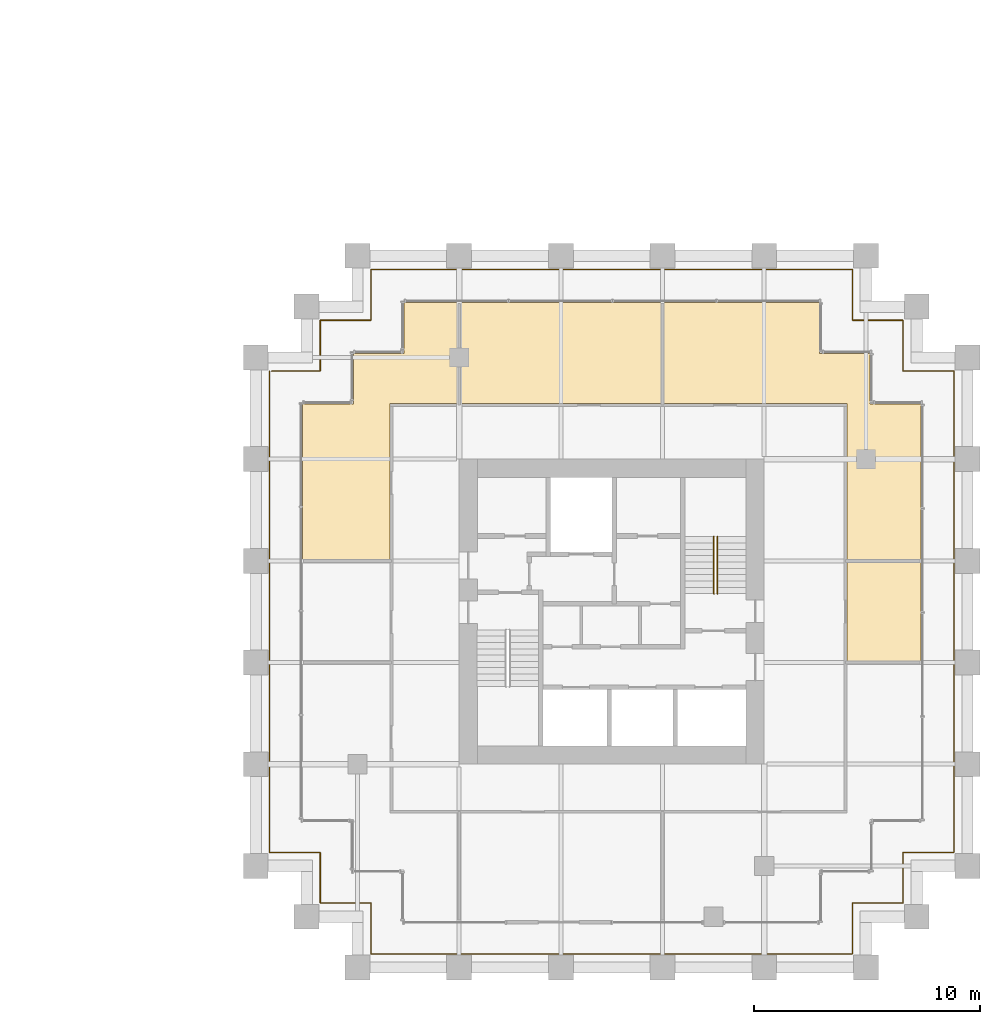
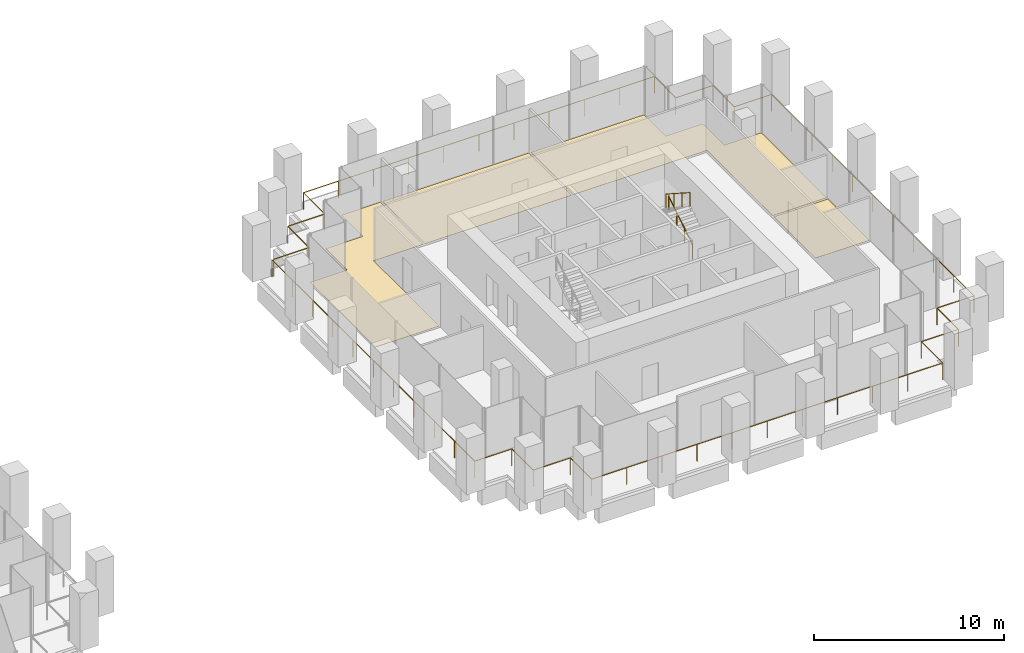
# One storey, part 56 of 56: 4 coverings, 3 railings.
"""IFC4 building model written with IfcOpenShell, lengths in metres."""

from ifc_helpers import new_model, si_unit, direction, frame, origin, origin_2d, place, context, subcontext, project, spatial, polyline, circle, outline, extrude, source, transform, mapped, material, layer, layer_set, type_object, element, save


model = new_model("IFC4")

# Units and contexts
model_context = context("Model", 3, precision=1e-05, world=origin(), true_north=direction((0.0, 1.0)))
body_context = subcontext(model_context, "Body", "Model", "MODEL_VIEW")
ifc_project = project(units=[si_unit("LENGTHUNIT", "METRE"), si_unit("AREAUNIT", "SQUARE_METRE"), si_unit("VOLUMEUNIT", "CUBIC_METRE"), si_unit("PLANEANGLEUNIT", "RADIAN"), si_unit("MASSUNIT", "GRAM", prefix="KILO")], contexts=[model_context])

# Site, building, storey
site_placement = place(None, origin())
site = spatial("IfcSite", under=ifc_project, at=site_placement, CompositionType="ELEMENT")
building_placement = place(site_placement, origin())
building = spatial("IfcBuilding", under=site, at=building_placement, Name="Altepetl Exchange Towers", CompositionType="ELEMENT")
storey_placement = place(building_placement, frame((0.0, 0.0, 72.60009765625)))
storey = spatial("IfcBuildingStorey", under=building, at=storey_placement, Name="L17", CompositionType="ELEMENT", Elevation=72.60009765625)

# Coverings
ifc_material_1 = material(Name="Carpet tile")
ifc_layer = layer(ifc_material_1, 0.02001953125)
ifc_layer_set = layer_set([ifc_layer], Name="Carpet tile")
covering_type = type_object("IfcCoveringType", Name="Carpet tile floor", PredefinedType="FLOORING", material=ifc_layer_set)
covering_1_placement = place(storey_placement, origin())
element("IfcCovering", 1, at=covering_1_placement, inside=storey, type_object=covering_type, Name="Print room floor finish B17.04", PredefinedType="FLOORING", context=body_context, shape_type="SweptSolid", body=[
    extrude(outline(polyline([(123.9375, 44.9375), (120.66259765625, 44.9375), (120.66259765625, 40.5625), (123.9375, 40.5625), (123.9375, 44.9375)])), origin(), (0.0, 0.0, 1.0), 0.02001953125),
])
covering_2_placement = place(storey_placement, origin())
element("IfcCovering", 2, at=covering_2_placement, inside=storey, type_object=covering_type, Name="Open office floor finish B17.05", PredefinedType="FLOORING", context=body_context, shape_type="SweptSolid", body=[
    extrude(outline(polyline([(112.5625, 56.4375), (112.5625, 51.96240234375), (120.66259765625, 51.96240234375), (120.66259765625, 45.0625), (123.9375, 45.0625), (123.9375, 51.9375), (121.6875, 51.9375), (121.6875, 54.1875), (119.4375, 54.1875), (119.4375, 56.4375), (112.5625, 56.4375)])), origin(), (0.0, 0.0, 1.0), 0.02001953125),
])
covering_3_placement = place(storey_placement, origin())
element("IfcCovering", 3, at=covering_3_placement, inside=storey, type_object=covering_type, Name="Print room floor finish B17.06", PredefinedType="FLOORING", context=body_context, shape_type="SweptSolid", body=[
    extrude(outline(polyline([(103.5625, 56.4375), (103.5625, 51.96240234375), (112.4375, 51.96240234375), (112.4375, 56.4375), (103.5625, 56.4375)])), origin(), (0.0, 0.0, 1.0), 0.02001953125),
])
covering_4_placement = place(storey_placement, origin())
element("IfcCovering", 4, at=covering_4_placement, inside=storey, type_object=covering_type, Name="Huddle room floor finish B17.07", PredefinedType="FLOORING", context=body_context, shape_type="SweptSolid", body=[
    extrude(outline(polyline([(101.0625, 54.1875), (98.8125, 54.1875), (98.8125, 51.9375), (96.5625, 51.9375), (96.5625, 45.0625), (100.4375, 45.0625), (100.4375, 51.96240234375), (103.4375, 51.96240234375), (103.4375, 56.4375), (101.0625, 56.4375), (101.0625, 54.1875)])), origin(), (0.0, 0.0, 1.0), 0.02001953125),
])

# Railings
ifc_material_2 = material(Name="Steel S355", Category="steel")
railing_type_1 = type_object("IfcRailingType", Name="Guard 1100 steel posts and rail", PredefinedType="GUARDRAIL", material=ifc_material_2)
shared_shape_1 = source(origin(), body_context, "Body", "SweptSolid", [
    extrude(circle(Radius=0.02099609375, at=origin_2d()), origin(), (0.0, 0.0, 1.0), 1.052001953125),
])
railing_1_placement = place(storey_placement, frame((95.10009765625, 53.39990234375, 0.0)))
element("IfcRailing", 5, at=railing_1_placement, inside=storey, type_object=railing_type_1, Name="Loggia guard", PredefinedType="GUARDRAIL", context=body_context, shape_type="SweptSolid", body=[
    extrude(circle(Radius=0.02392578125, at=origin_2d()), frame((0.0, 0.0, 1.076171875), z_axis=(0.0, -1.0, 0.0), x_axis=(1.0, 0.0, 0.0)), (0.0, 0.0, 1.0), 21.2998046875),
    extrude(circle(Radius=0.02392578125, at=origin_2d()), frame((0.0, -21.2998046875, 1.076171875), z_axis=(1.0, 0.0, 0.0), x_axis=(0.0, 1.0, 0.0)), (0.0, 0.0, 1.0), 2.25),
    extrude(circle(Radius=0.02392578125, at=origin_2d()), frame((2.25, -21.2998046875, 1.076171875), z_axis=(0.0, -1.0, 0.0), x_axis=(1.0, 0.0, 0.0)), (0.0, 0.0, 1.0), 2.25),
    extrude(circle(Radius=0.02392578125, at=origin_2d()), frame((2.25, -23.5498046875, 1.076171875), z_axis=(1.0, 0.0, 0.0), x_axis=(0.0, 1.0, 0.0)), (0.0, 0.0, 1.0), 2.25),
    extrude(circle(Radius=0.02392578125, at=origin_2d()), frame((4.5, -23.5498046875, 1.076171875), z_axis=(0.0, -1.0, 0.0), x_axis=(1.0, 0.0, 0.0)), (0.0, 0.0, 1.0), 2.25),
    extrude(circle(Radius=0.02392578125, at=origin_2d()), frame((4.5, -25.7998046875, 1.076171875), z_axis=(1.0, 0.0, 0.0), x_axis=(0.0, 1.0, 0.0)), (0.0, 0.0, 1.0), 21.2998046875),
    extrude(circle(Radius=0.02392578125, at=origin_2d()), frame((25.7998046875, -25.7998046875, 1.076171875), z_axis=(0.0, 1.0, 0.0), x_axis=(-1.0, 0.0, 0.0)), (0.0, 0.0, 1.0), 2.25),
    extrude(circle(Radius=0.02392578125, at=origin_2d()), frame((25.7998046875, -23.5498046875, 1.076171875), z_axis=(1.0, 0.0, 0.0), x_axis=(0.0, 1.0, 0.0)), (0.0, 0.0, 1.0), 2.25),
    extrude(circle(Radius=0.02392578125, at=origin_2d()), frame((28.0498046875, -23.5498046875, 1.076171875), z_axis=(0.0, 1.0, 0.0), x_axis=(-1.0, 0.0, 0.0)), (0.0, 0.0, 1.0), 2.25),
    extrude(circle(Radius=0.02392578125, at=origin_2d()), frame((28.0498046875, -21.2998046875, 1.076171875), z_axis=(1.0, 0.0, 0.0), x_axis=(0.0, 1.0, 0.0)), (0.0, 0.0, 1.0), 2.25),
    extrude(circle(Radius=0.02392578125, at=origin_2d()), frame((30.2998046875, -21.2998046875, 1.076171875), z_axis=(0.0, 1.0, 0.0), x_axis=(-1.0, 0.0, 0.0)), (0.0, 0.0, 1.0), 21.2998046875),
    extrude(circle(Radius=0.02392578125, at=origin_2d()), frame((30.2998046875, 0.0, 1.076171875), z_axis=(-1.0, 0.0, 0.0), x_axis=(0.0, -1.0, 0.0)), (0.0, 0.0, 1.0), 2.25),
    extrude(circle(Radius=0.02392578125, at=origin_2d()), frame((28.0498046875, 0.0, 1.076171875), z_axis=(0.0, 1.0, 0.0), x_axis=(-1.0, 0.0, 0.0)), (0.0, 0.0, 1.0), 2.25),
    extrude(circle(Radius=0.02392578125, at=origin_2d()), frame((28.0498046875, 2.25, 1.076171875), z_axis=(-1.0, 0.0, 0.0), x_axis=(0.0, -1.0, 0.0)), (0.0, 0.0, 1.0), 2.25),
    extrude(circle(Radius=0.02392578125, at=origin_2d()), frame((25.7998046875, 2.25, 1.076171875), z_axis=(0.0, 1.0, 0.0), x_axis=(-1.0, 0.0, 0.0)), (0.0, 0.0, 1.0), 2.25),
    extrude(circle(Radius=0.02392578125, at=origin_2d()), frame((25.7998046875, 4.5, 1.076171875), z_axis=(-1.0, 0.0, 0.0), x_axis=(0.0, -1.0, 0.0)), (0.0, 0.0, 1.0), 21.2998046875),
    extrude(circle(Radius=0.02392578125, at=origin_2d()), frame((4.5, 4.5, 1.076171875), z_axis=(0.0, -1.0, 0.0), x_axis=(1.0, 0.0, 0.0)), (0.0, 0.0, 1.0), 2.25),
    extrude(circle(Radius=0.02392578125, at=origin_2d()), frame((4.5, 2.25, 1.076171875), z_axis=(-1.0, 0.0, 0.0), x_axis=(0.0, -1.0, 0.0)), (0.0, 0.0, 1.0), 2.25),
    extrude(circle(Radius=0.02392578125, at=origin_2d()), frame((2.25, 2.25, 1.076171875), z_axis=(0.0, -1.0, 0.0), x_axis=(1.0, 0.0, 0.0)), (0.0, 0.0, 1.0), 2.25),
    extrude(circle(Radius=0.02392578125, at=origin_2d()), frame((2.25, 0.0, 1.076171875), z_axis=(-1.0, 0.0, 0.0), x_axis=(0.0, -1.0, 0.0)), (0.0, 0.0, 1.0), 2.150146484375),
    mapped(shared_shape_1, transform((0.0, 0.0, 0.0))),
    mapped(shared_shape_1, transform((0.0, -2.1298828125, 0.0))),
    mapped(shared_shape_1, transform((0.0, -4.260009765625, 0.0))),
    mapped(shared_shape_1, transform((0.0, -6.389892578125, 0.0))),
    mapped(shared_shape_1, transform((0.0, -8.52001953125, 0.0))),
    mapped(shared_shape_1, transform((0.0, -10.64990234375, 0.0))),
    mapped(shared_shape_1, transform((0.0, -12.77978515625, 0.0))),
    mapped(shared_shape_1, transform((0.0, -14.909912109375, 0.0))),
    mapped(shared_shape_1, transform((0.0, -17.039794921875, 0.0))),
    mapped(shared_shape_1, transform((0.0, -19.169921875, 0.0))),
    mapped(shared_shape_1, transform((0.0, -21.2998046875, 0.0))),
    mapped(shared_shape_1, transform((2.25, -21.2998046875, 0.0))),
    mapped(shared_shape_1, transform((2.25, -23.5498046875, 0.0))),
    mapped(shared_shape_1, transform((4.5, -23.5498046875, 0.0))),
    mapped(shared_shape_1, transform((4.5, -25.7998046875, 0.0))),
    mapped(shared_shape_1, transform((6.6298828125, -25.7998046875, 0.0))),
    mapped(shared_shape_1, transform((8.760009765625, -25.7998046875, 0.0))),
    mapped(shared_shape_1, transform((10.889892578125, -25.7998046875, 0.0))),
    mapped(shared_shape_1, transform((13.02001953125, -25.7998046875, 0.0))),
    mapped(shared_shape_1, transform((15.14990234375, -25.7998046875, 0.0))),
    mapped(shared_shape_1, transform((17.27978515625, -25.7998046875, 0.0))),
    mapped(shared_shape_1, transform((19.409912109375, -25.7998046875, 0.0))),
    mapped(shared_shape_1, transform((21.539794921875, -25.7998046875, 0.0))),
    mapped(shared_shape_1, transform((23.669921875, -25.7998046875, 0.0))),
    mapped(shared_shape_1, transform((25.7998046875, -25.7998046875, 0.0))),
    mapped(shared_shape_1, transform((25.7998046875, -23.5498046875, 0.0))),
    mapped(shared_shape_1, transform((28.0498046875, -23.5498046875, 0.0))),
    mapped(shared_shape_1, transform((28.0498046875, -21.2998046875, 0.0))),
    mapped(shared_shape_1, transform((30.2998046875, -21.2998046875, 0.0))),
    mapped(shared_shape_1, transform((30.2998046875, -19.169921875, 0.0))),
    mapped(shared_shape_1, transform((30.2998046875, -17.039794921875, 0.0))),
    mapped(shared_shape_1, transform((30.2998046875, -14.909912109375, 0.0))),
    mapped(shared_shape_1, transform((30.2998046875, -12.77978515625, 0.0))),
    mapped(shared_shape_1, transform((30.2998046875, -10.64990234375, 0.0))),
    mapped(shared_shape_1, transform((30.2998046875, -8.52001953125, 0.0))),
    mapped(shared_shape_1, transform((30.2998046875, -6.389892578125, 0.0))),
    mapped(shared_shape_1, transform((30.2998046875, -4.260009765625, 0.0))),
    mapped(shared_shape_1, transform((30.2998046875, -2.1298828125, 0.0))),
    mapped(shared_shape_1, transform((30.2998046875, 0.0, 0.0))),
    mapped(shared_shape_1, transform((28.0498046875, 0.0, 0.0))),
    mapped(shared_shape_1, transform((28.0498046875, 2.25, 0.0))),
    mapped(shared_shape_1, transform((25.7998046875, 2.25, 0.0))),
    mapped(shared_shape_1, transform((25.7998046875, 4.5, 0.0))),
    mapped(shared_shape_1, transform((23.669921875, 4.5, 0.0))),
    mapped(shared_shape_1, transform((21.539794921875, 4.5, 0.0))),
    mapped(shared_shape_1, transform((19.409912109375, 4.5, 0.0))),
    mapped(shared_shape_1, transform((17.27978515625, 4.5, 0.0))),
    mapped(shared_shape_1, transform((15.14990234375, 4.5, 0.0))),
    mapped(shared_shape_1, transform((13.02001953125, 4.5, 0.0))),
    mapped(shared_shape_1, transform((10.889892578125, 4.5, 0.0))),
    mapped(shared_shape_1, transform((8.760009765625, 4.5, 0.0))),
    mapped(shared_shape_1, transform((6.6298828125, 4.5, 0.0))),
    mapped(shared_shape_1, transform((4.5, 4.5, 0.0))),
    mapped(shared_shape_1, transform((4.5, 2.25, 0.0))),
    mapped(shared_shape_1, transform((2.25, 2.25, 0.0))),
    mapped(shared_shape_1, transform((2.25, 0.0, 0.0))),
    mapped(shared_shape_1, transform((0.099853515625, 0.0, 0.0))),
])
ifc_material_3 = material(Name="Steel", Category="steel")
railing_type_2 = type_object("IfcRailingType", Name="Stair handrail 50 steel tube", PredefinedType="HANDRAIL", material=ifc_material_3)
shared_shape_2 = source(origin(), body_context, "Body", "SweptSolid", [
    extrude(circle(Radius=0.02099609375, at=origin_2d()), origin(), (0.0, 0.0, 1.0), 0.851806640625),
])
railing_2_placement = place(storey_placement, frame((114.929931640625, 43.550048828125, 0.179931640625)))
element("IfcRailing", 6, at=railing_2_placement, inside=storey, type_object=railing_type_2, Name="Stair handrail", PredefinedType="HANDRAIL", context=body_context, shape_type="SweptSolid", body=[
    extrude(circle(Radius=0.02392578125, at=origin_2d()), frame((0.0, 0.0, 0.8759765625), z_axis=(0.0, 0.841199657755, 0.540724639528), x_axis=(-1.0, 0.0, 0.0)), (0.0, 0.0, 1.0), 2.995849609375),
    mapped(shared_shape_2, transform((0.0, 0.0, 0.0))),
    mapped(shared_shape_2, transform((0.0, 0.840087890625, 0.5400390625))),
    mapped(shared_shape_2, transform((0.0, 1.679931640625, 1.079833984375))),
    mapped(shared_shape_2, transform((0.0, 2.52001953125, 1.619873046875))),
])
railing_3_placement = place(storey_placement, frame((114.77001953125, 46.070068359375, 1.97998046875)))
element("IfcRailing", 7, at=railing_3_placement, inside=storey, type_object=railing_type_2, Name="Stair handrail", PredefinedType="HANDRAIL", context=body_context, shape_type="SweptSolid", body=[
    extrude(circle(Radius=0.02392578125, at=origin_2d()), frame((0.0, 0.0, 0.8759765625), z_axis=(0.0, -0.841199657755, 0.540724639528), x_axis=(1.0, 0.0, 0.0)), (0.0, 0.0, 1.0), 2.995849609375),
    mapped(shared_shape_2, transform((0.0, 0.0, 0.0))),
    mapped(shared_shape_2, transform((0.0, -0.840087890625, 0.5400390625))),
    mapped(shared_shape_2, transform((0.0, -1.679931640625, 1.079833984375))),
    mapped(shared_shape_2, transform((0.0, -2.52001953125, 1.619873046875))),
])

save(model, "model.ifc")
